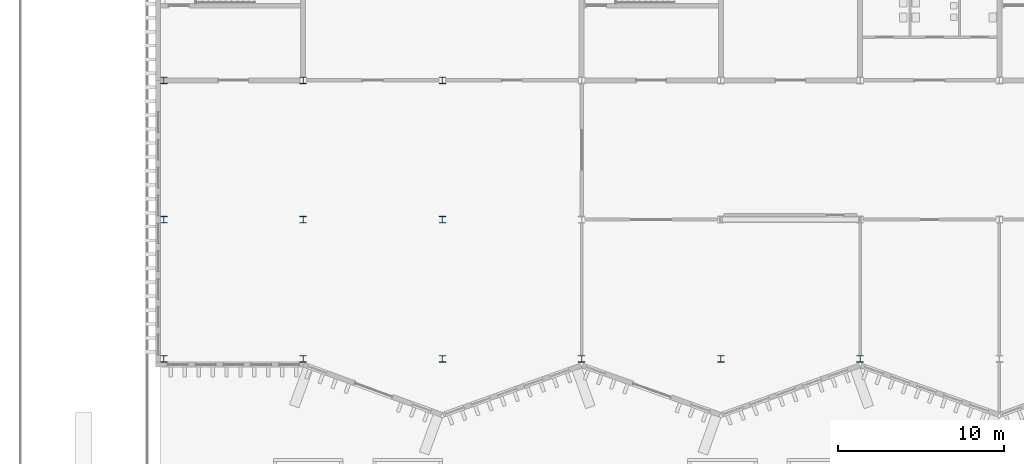
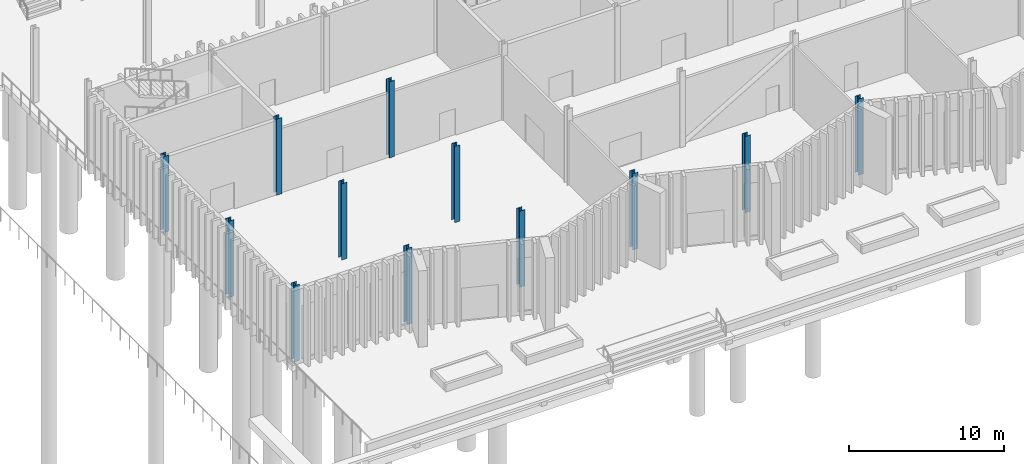
# One storey, part 10 of 108: 12 columns.
"""IFC4 building model written with IfcOpenShell, lengths in metres."""

import ifcopenshell
import ifcopenshell.guid

model = None  # the IFC model being written
_history = None  # IfcOwnerHistory: only IFC2X3 demands one
_inside = {}  # id of a spatial element -> (the spatial element, [elements in it])
_under = {}  # id of a project, library or spatial element -> (it, [spatial elements below it])
_declared = {}  # id of a project -> (the project, [libraries it declares])
_typed = {}  # id of a type object -> (the type object, [elements of that type])
_made_of = {}  # id of a material, layer set ... -> (it, [elements and type objects made of it])


def new_model(schema):
    """Start an empty IFC model of exactly this schema.

    Asked for "IFC4X3", IfcOpenShell would pick the latest addendum, in which some entities
    have other attributes; the version numbers below select the first issue.
    IFC2X3 requires an IfcOwnerHistory on every rooted entity: one is made here for all.
    """
    global model, _history
    if schema == "IFC4X3":
        model = ifcopenshell.file(schema_version=(4, 3, 0, 0))
    else:
        model = ifcopenshell.file(schema=schema)
    _inside.clear()
    _under.clear()
    _declared.clear()
    _typed.clear()
    _made_of.clear()
    _history = None
    if model.schema == "IFC2X3":
        org = make("IfcOrganization", Name="unknown")
        user = make(
            "IfcPersonAndOrganization",
            ThePerson=make("IfcPerson", FamilyName="unknown"),
            TheOrganization=org,
        )
        app = make(
            "IfcApplication",
            ApplicationDeveloper=org,
            Version="unknown",
            ApplicationFullName="unknown",
            ApplicationIdentifier="unknown",
        )
        _history = make(
            "IfcOwnerHistory",
            OwningUser=user,
            OwningApplication=app,
            ChangeAction="ADDED",
            CreationDate=0,
        )
    return model


def make(cls, **values):
    """One entity of the class cls with the attributes given. An attribute that is None is left unset."""
    return model.create_entity(
        cls, **{name: value for name, value in values.items() if value is not None}
    )


def rooted(cls, **values):
    """An entity with a GlobalId (a new one), such as an element, a storey or a relation."""
    return make(cls, GlobalId=ifcopenshell.guid.new(), OwnerHistory=_history, **values)


def si_unit(unit_type, name, prefix=None):
    """IfcSIUnit, for example si_unit("LENGTHUNIT", "METRE", prefix="MILLI")."""
    return make("IfcSIUnit", UnitType=unit_type, Prefix=prefix, Name=name)


def assignment(units):
    """IfcUnitAssignment: the units of a project."""
    return None if units is None else make("IfcUnitAssignment", Units=units)


def point(xyz):
    """IfcCartesianPoint."""
    return None if xyz is None else make("IfcCartesianPoint", Coordinates=xyz)


def direction(xyz):
    """IfcDirection."""
    return None if xyz is None else make("IfcDirection", DirectionRatios=xyz)


def frame(location, z_axis=None, x_axis=None):
    """IfcAxis2Placement3D, a coordinate frame: its origin and axes. An axis left out is left unset."""
    return make(
        "IfcAxis2Placement3D",
        Location=point(location),
        Axis=direction(z_axis),
        RefDirection=direction(x_axis),
    )


def frame_2d(location, x_axis=None):
    """IfcAxis2Placement2D, a coordinate frame in the plane: its origin and x axis."""
    return make(
        "IfcAxis2Placement2D", Location=point(location), RefDirection=direction(x_axis)
    )


def origin():
    """The frame at (0, 0, 0) with its axes left unset."""
    return frame((0.0, 0.0, 0.0))


def origin_2d():
    """The frame at (0, 0) in the plane with its x axis left unset."""
    return frame_2d((0.0, 0.0))


def place(relative_to, where):
    """IfcLocalPlacement: puts the frame where relative to a parent placement (None: the world)."""
    return make(
        "IfcLocalPlacement", PlacementRelTo=relative_to, RelativePlacement=where
    )


def context(
    kind, dimensions, precision=None, world=None, true_north=None, identifier=None
):
    """IfcGeometricRepresentationContext, for example the 3D "Model" context."""
    return make(
        "IfcGeometricRepresentationContext",
        ContextIdentifier=identifier,
        ContextType=kind,
        CoordinateSpaceDimension=dimensions,
        Precision=precision,
        WorldCoordinateSystem=world,
        TrueNorth=true_north,
    )


def subcontext(parent, identifier, kind, view, scale=None):
    """IfcGeometricRepresentationSubContext, for example "Body" below "Model"."""
    return make(
        "IfcGeometricRepresentationSubContext",
        ContextIdentifier=identifier,
        ContextType=kind,
        ParentContext=parent,
        TargetScale=scale,
        TargetView=view,
    )


def project(units=None, contexts=None):
    """IfcProject with its units and contexts."""
    return rooted(
        "IfcProject",
        Name="project",
        RepresentationContexts=contexts,
        UnitsInContext=assignment(units),
    )


def spatial(cls, under=None, at=None, **own):
    """A site, building, storey or space (cls), placed at a placement, below another one or the project."""
    s = rooted(cls, ObjectPlacement=at, **own)
    if under is not None:
        _under.setdefault(under.id(), (under, []))[1].append(s)
    return s


def profile(cls, at=None, kind="AREA", **sizes):
    """A parametric profile (cls). Its sizes go by their IFC names, for example OverallWidth=200.0."""
    return make(cls, ProfileType=kind, Position=at, **sizes)


def i_section(**sizes):
    """IfcIShapeProfileDef."""
    return profile("IfcIShapeProfileDef", **sizes)


def extrude(swept, where, along, depth):
    """IfcExtrudedAreaSolid: the profile swept, set in the frame where, extruded along a direction by depth."""
    return make(
        "IfcExtrudedAreaSolid",
        SweptArea=swept,
        Position=where,
        ExtrudedDirection=direction(along),
        Depth=depth,
    )


def shape(context_of_items, identifier, shape_type, items):
    """IfcShapeRepresentation: the items that make up one representation, for example the "Body"."""
    return make(
        "IfcShapeRepresentation",
        ContextOfItems=context_of_items,
        RepresentationIdentifier=identifier,
        RepresentationType=shape_type,
        Items=items,
    )


def material(Name=None, Category=None):
    """IfcMaterial."""
    return make("IfcMaterial", Name=Name, Category=Category)


def material_profile(
    of_material, cross_section, Name=None, Category=None, Priority=None
):
    """IfcMaterialProfile: a cross section and its material."""
    return make(
        "IfcMaterialProfile",
        Name=Name,
        Material=of_material,
        Profile=cross_section,
        Priority=Priority,
        Category=Category,
    )


def profile_set(profiles, Name=None, composite=None):
    """IfcMaterialProfileSet."""
    return make(
        "IfcMaterialProfileSet",
        Name=Name,
        MaterialProfiles=profiles,
        CompositeProfile=composite,
    )


def made_of(thing, what):
    """Note that an element or type object is made of a material, layer set ...; save() writes the relation."""
    if what is not None:
        _made_of.setdefault(what.id(), (what, []))[1].append(thing)
    return thing


def type_object(cls, material=None, **own):
    """A type object (cls), such as IfcWallType, which elements share."""
    return made_of(rooted(cls, **own), material)


def element(
    cls,
    number,
    at=None,
    inside=None,
    cuts=None,
    type_object=None,
    material=None,
    context=None,
    identifier="Body",
    shape_type=None,
    held_by="IfcProductDefinitionShape",
    body=None,
    shapes=None,
    **own,
):
    """One element of the class cls, such as IfcWall. Its Tag is "e" and its number.

    at: its placement. inside: the storey or other place that contains it. cuts: it is an
    opening in that element (IfcRelVoidsElement). A single representation is given by context,
    identifier, shape_type and body (its items); several are given by shapes. held_by: the class
    of the entity that holds the representations. save() writes the other relations.
    """
    e = rooted(cls, Tag="e%d" % number, ObjectPlacement=at, **own)
    if body is not None:
        shapes = [shape(context, identifier, shape_type, body)]
    if shapes is not None:
        e.Representation = make(held_by, Representations=shapes)
    if inside is not None:
        _inside.setdefault(inside.id(), (inside, []))[1].append(e)
    if cuts is not None:
        rooted(
            "IfcRelVoidsElement", RelatingBuildingElement=cuts, RelatedOpeningElement=e
        )
    if type_object is not None:
        _typed.setdefault(type_object.id(), (type_object, []))[1].append(e)
    return made_of(e, material)


def aggregate(whole, parts):
    """IfcRelAggregates: a whole, such as a stair, and the parts it consists of."""
    return rooted("IfcRelAggregates", RelatingObject=whole, RelatedObjects=parts)


def save(model, path):
    """Write the relations noted so far, then the file.

    IfcRelAggregates (storeys below a building ...), IfcRelContainedInSpatialStructure (elements
    in a storey), IfcRelDefinesByType, IfcRelAssociatesMaterial and IfcRelDeclares: one each for
    every whole, place, type object, material and project.
    """
    for whole, parts in _under.values():
        aggregate(whole, parts)
    for where, things in _inside.values():
        rooted(
            "IfcRelContainedInSpatialStructure",
            RelatedElements=things,
            RelatingStructure=where,
        )
    for kind, things in _typed.values():
        rooted("IfcRelDefinesByType", RelatedObjects=things, RelatingType=kind)
    for what, things in _made_of.values():
        rooted("IfcRelAssociatesMaterial", RelatedObjects=things, RelatingMaterial=what)
    for by, libraries in _declared.values():
        rooted("IfcRelDeclares", RelatingContext=by, RelatedDefinitions=libraries)
    model.write(path)


model = new_model("IFC4")

# Units and contexts
model_context = context("Model", 3, precision=1e-05, world=origin(), true_north=direction((0.0, 1.0)))
body_context = subcontext(model_context, "Body", "Model", "MODEL_VIEW")
ifc_project = project(units=[si_unit("LENGTHUNIT", "METRE"), si_unit("AREAUNIT", "SQUARE_METRE"), si_unit("VOLUMEUNIT", "CUBIC_METRE"), si_unit("PLANEANGLEUNIT", "RADIAN"), si_unit("MASSUNIT", "GRAM", prefix="KILO")], contexts=[model_context])

# Site, building, storey
site_placement = place(None, origin())
site = spatial("IfcSite", under=ifc_project, at=site_placement, CompositionType="ELEMENT")
building_placement = place(site_placement, origin())
building = spatial("IfcBuilding", under=site, at=building_placement, Name="Cresset Court Congress Hotel", CompositionType="ELEMENT")
storey_placement = place(building_placement, origin())
storey = spatial("IfcBuildingStorey", under=building, at=storey_placement, Name="L00", CompositionType="ELEMENT", Elevation=0.0)

# Columns
ifc_material = material(Name="Structural steel Q355B", Category="steel")
ifc_material_profile = material_profile(ifc_material, i_section(OverallWidth=0.39990234375, OverallDepth=0.39990234375, WebThickness=0.012939453125, FlangeThickness=0.02099609375, FilletRadius=0.02197265625, at=origin_2d()), Name="HW400x400x13x21")
ifc_profile_set = profile_set([ifc_material_profile], Name="Structural steel Q355B")
column_type = type_object("IfcColumnType", Name="Steel column HW400x400x13x21", PredefinedType="COLUMN", material=ifc_profile_set)
for number, where, z_axis, x_axis, name in (
    (1, (8.39990234375, 0.0, 0.0), (0.0, 0.0, 1.0), (1.0, 0.0, 0.0), "B.col.L00.02A"),
    (2, (8.39990234375, 8.39990234375, 0.0), (0.0, 0.0, 1.0), (1.0, 0.0, 0.0), "B.col.L00.02B"),
    (3, (8.39990234375, 16.800048828125, 0.0), (0.0, 0.0, 1.0), (1.0, 0.0, 0.0), "B.col.L00.02C"),
    (4, (16.800048828125, 0.0, 0.0), (0.0, 0.0, 1.0), (1.0, 0.0, 0.0), "B.col.L00.03A"),
    (5, (16.800048828125, 8.39990234375, 0.0), (0.0, 0.0, 1.0), (1.0, 0.0, 0.0), "B.col.L00.03B"),
    (6, (16.800048828125, 16.800048828125, 0.0), (0.0, 0.0, 1.0), (1.0, 0.0, 0.0), "B.col.L00.03C"),
    (7, (25.199951171875, 0.0, 0.0), (0.0, 0.0, 1.0), (1.0, 0.0, 0.0), "B.col.L00.04A"),
    (8, (25.199951171875, 8.39990234375, 0.0), (0.0, 0.0, 1.0), (1.0, 0.0, 0.0), "B.col.L00.04B"),
    (9, (25.199951171875, 16.800048828125, 0.0), (0.0, 0.0, 1.0), (1.0, 0.0, 0.0), "B.col.L00.04C"),
    (10, (33.60009765625, 0.0, 0.0), (0.0, 0.0, 1.0), (1.0, 0.0, 0.0), "B.col.L00.05A"),
    (11, (42.0, 0.0, 0.0), (0.0, 0.0, 1.0), (1.0, 0.0, 0.0), "B.col.L00.06A"),
    (12, (50.39990234375, 0.0, 0.0), (0.0, 0.0, 1.0), (1.0, 0.0, 0.0), "B.col.L00.07A"),
):
    element("IfcColumn", number, at=place(storey_placement, frame(where, z_axis=z_axis, x_axis=x_axis)), inside=storey, type_object=column_type, Name=name, PredefinedType="COLUMN", context=body_context, shape_type="SweptSolid", body=[
        extrude(i_section(OverallWidth=0.39990234375, OverallDepth=0.39990234375, WebThickness=0.012939453125, FlangeThickness=0.02099609375, FilletRadius=0.02197265625, at=origin_2d()), origin(), (0.0, 0.0, 1.0), 6.0),
    ])

save(model, "model.ifc")
